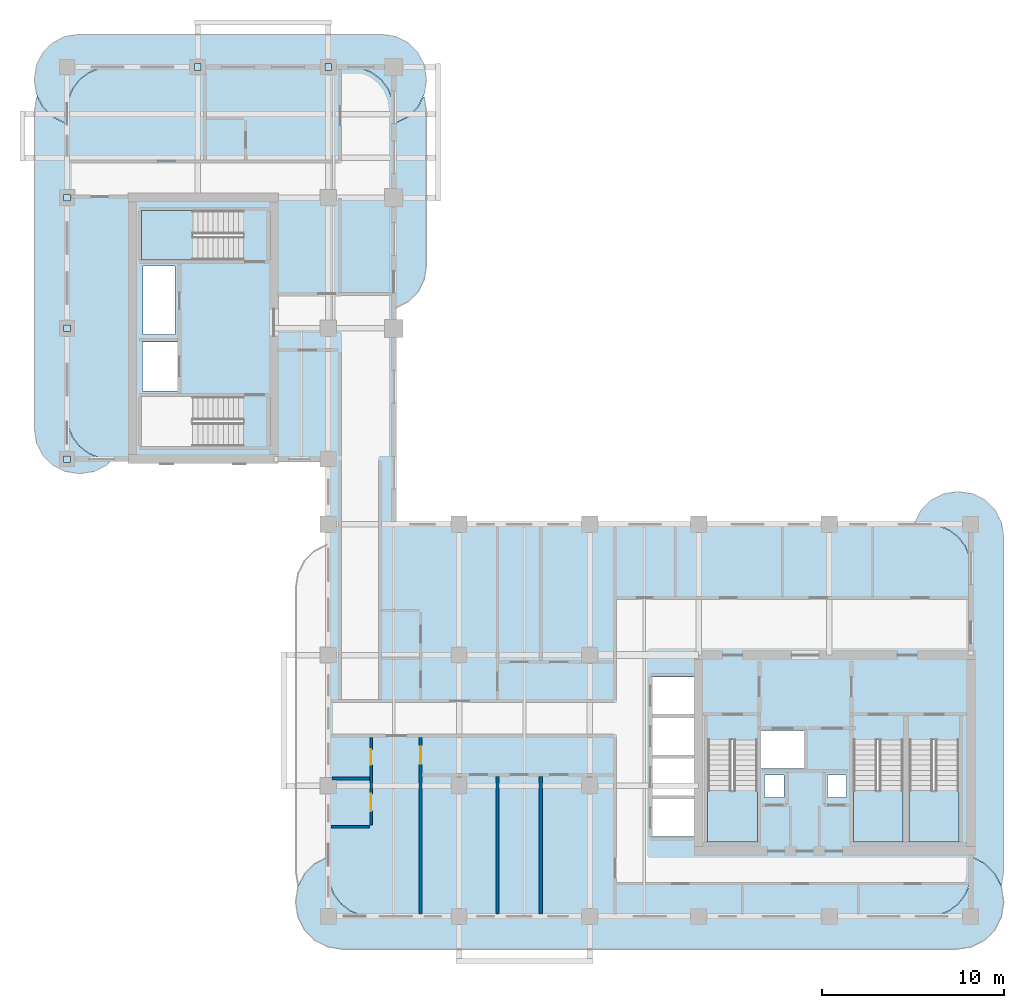
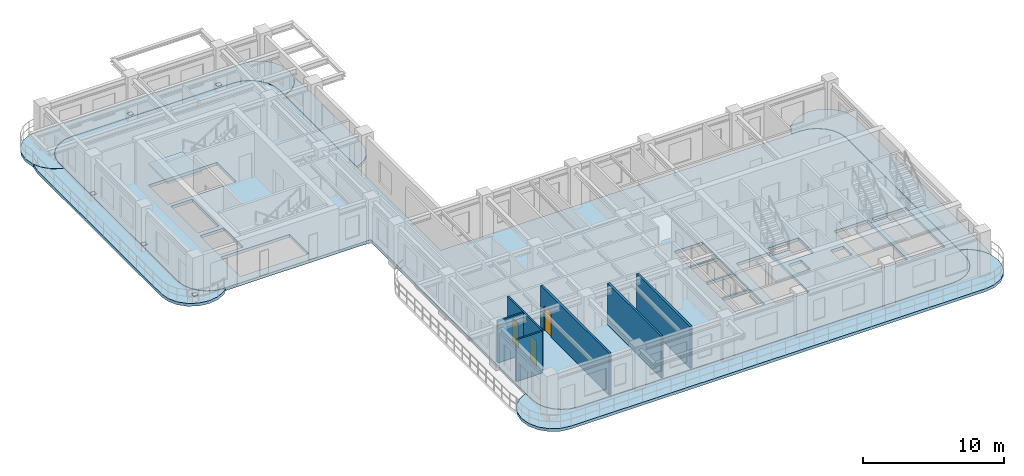
# One storey, part 3 of 14: 10 slabs, 6 walls, 5 plates, 3 doors, 3 openings, 4 elements without a shape of their own.
"""IFC4 building model written with IfcOpenShell, lengths in metres."""

from ifc_helpers import new_model, si_unit, derived_unit, direction, frame, frame_2d, origin, origin_2d, place, context, subcontext, project, spatial, polyline, rectangle, outline, extrude, source, transform, mapped, material, layer, layer_set, type_object, type_shapes, element, fill, aggregate, save


model = new_model("IFC4")

# Units and contexts
model_context = context("Model", 3, precision=1e-05, world=origin(), true_north=direction((0.0, 1.0)))
body_context = subcontext(model_context, "Body", "Model", "MODEL_VIEW")
ifc_project = project(units=[si_unit("LENGTHUNIT", "METRE"), si_unit("AREAUNIT", "SQUARE_METRE"), si_unit("VOLUMEUNIT", "CUBIC_METRE"), si_unit("PLANEANGLEUNIT", "RADIAN"), si_unit("MASSUNIT", "GRAM", prefix="KILO"), si_unit("THERMODYNAMICTEMPERATUREUNIT", "KELVIN"), si_unit("POWERUNIT", "WATT"), derived_unit("THERMALTRANSMITTANCEUNIT", [(si_unit("POWERUNIT", "WATT"), 1), (si_unit("AREAUNIT", "SQUARE_METRE"), -1), (si_unit("THERMODYNAMICTEMPERATUREUNIT", "KELVIN"), -1)])], contexts=[model_context])

# Site, building, storey
site_placement = place(None, origin())
site = spatial("IfcSite", under=ifc_project, at=site_placement, CompositionType="ELEMENT")
building_placement = place(site_placement, origin())
building = spatial("IfcBuilding", under=site, at=building_placement, Name="Zahravan Archway Hotel and Residences", CompositionType="ELEMENT")
storey_placement = place(building_placement, frame((0.0, 0.0, 205.75)))
storey = spatial("IfcBuildingStorey", under=building, at=storey_placement, Name="L51", CompositionType="ELEMENT", Elevation=205.75)

# Slabs
ifc_material_1 = material(Name="Concrete C45/55", Category="concrete")
ifc_layer_1 = layer(ifc_material_1, 0.25, Name="Concrete C45/55", Category="concrete")
ifc_layer_set_1 = layer_set([ifc_layer_1], Name="Concrete C45/55")
slab_type_1 = type_object("IfcSlabType", Name="SLB-BALC-250", PredefinedType="FLOOR", material=ifc_layer_set_1)
slab_1_placement = place(storey_placement, frame((0.0, 0.0, -0.25)))
element("IfcSlab", 1, at=slab_1_placement, inside=storey, type_object=slab_type_1, Name="L51 Wing A South Rounded Balcony Band", PredefinedType="FLOOR", context=body_context, shape_type="SweptSolid", body=[
    extrude(outline(polyline([(49.837890625, 3.275146484375), (50.548828125, 2.9130859375), (51.113037109375, 2.348876953125), (51.47509765625, 1.637939453125), (51.60009765625, 0.85009765625), (51.60009765625, 0.75), (51.47509765625, -0.0380859375), (51.113037109375, -0.748779296875), (50.548828125, -1.31298828125), (49.837890625, -1.67529296875), (49.050048828125, -1.800048828125), (15.14990234375, -1.800048828125), (14.362060546875, -1.67529296875), (13.651123046875, -1.31298828125), (13.0869140625, -0.748779296875), (12.724853515625, -0.0380859375), (12.60009765625, 0.75), (12.60009765625, 0.85009765625), (12.724853515625, 1.637939453125), (13.0869140625, 2.348876953125), (13.651123046875, 2.9130859375), (14.362060546875, 3.275146484375), (14.3798828125, 3.278076171875), (14.3798828125, 2.39990234375), (14.380126953125, 2.3974609375), (14.4619140625, 1.776123046875), (14.46240234375, 1.7744140625), (14.462646484375, 1.772705078125), (14.46337890625, 1.77099609375), (14.702880859375, 1.1923828125), (14.703857421875, 1.19091796875), (14.70458984375, 1.189208984375), (14.70556640625, 1.187744140625), (15.0869140625, 0.690673828125), (15.088134765625, 0.689453125), (15.08935546875, 0.688232421875), (15.0908203125, 0.68701171875), (15.587890625, 0.3056640625), (15.58935546875, 0.3046875), (15.5908203125, 0.3037109375), (15.59228515625, 0.302978515625), (16.171142578125, 0.063232421875), (16.1728515625, 0.062744140625), (16.174560546875, 0.062255859375), (16.17626953125, 0.06201171875), (16.79736328125, -0.019775390625), (16.800048828125, -0.02001953125), (47.39990234375, -0.02001953125), (47.402587890625, -0.019775390625), (48.023681640625, 0.06201171875), (48.025390625, 0.062255859375), (48.027099609375, 0.062744140625), (48.02880859375, 0.063232421875), (48.607666015625, 0.302978515625), (48.609130859375, 0.3037109375), (48.610595703125, 0.3046875), (48.6123046875, 0.3056640625), (49.109375, 0.68701171875), (49.110595703125, 0.688232421875), (49.11181640625, 0.689453125), (49.113037109375, 0.690673828125), (49.494384765625, 1.187744140625), (49.495361328125, 1.189208984375), (49.49609375, 1.19091796875), (49.4970703125, 1.1923828125), (49.73681640625, 1.77099609375), (49.7373046875, 1.772705078125), (49.73779296875, 1.7744140625), (49.738037109375, 1.776123046875), (49.81982421875, 2.3974609375), (49.820068359375, 2.39990234375), (49.820068359375, 3.278076171875), (49.837890625, 3.275146484375)])), origin(), (0.0, 0.0, 1.0), 0.25),
])
slab_2_placement = place(storey_placement, frame((0.0, 0.0, -0.25)))
element("IfcSlab", 2, at=slab_2_placement, inside=storey, type_object=slab_type_1, Name="L51 Wing A East Rounded Balcony Band", PredefinedType="FLOOR", context=body_context, shape_type="SweptSolid", body=[
    extrude(outline(polyline([(46.719970703125, 21.70703125), (47.06787109375, 22.39013671875), (47.60986328125, 22.93212890625), (48.29296875, 23.280029296875), (49.050048828125, 23.39990234375), (49.14990234375, 23.39990234375), (49.906982421875, 23.280029296875), (50.590087890625, 22.93212890625), (51.132080078125, 22.39013671875), (51.47998046875, 21.70703125), (51.60009765625, 20.949951171875), (51.60009765625, 2.449951171875), (51.47998046875, 1.69287109375), (51.474853515625, 1.6826171875), (51.130859375, 2.35791015625), (51.1298828125, 2.35986328125), (51.12841796875, 2.361572265625), (51.127197265625, 2.363037109375), (50.56298828125, 2.927001953125), (50.5615234375, 2.928466796875), (50.559814453125, 2.9296875), (50.55810546875, 2.930908203125), (49.84716796875, 3.29296875), (49.84521484375, 3.2939453125), (49.84326171875, 3.29443359375), (49.841064453125, 3.294921875), (49.822998046875, 3.2978515625), (49.8212890625, 3.298095703125), (49.820068359375, 3.298095703125), (49.820068359375, 19.199951171875), (49.81982421875, 19.20263671875), (49.738037109375, 19.82373046875), (49.73779296875, 19.825439453125), (49.7373046875, 19.8271484375), (49.73681640625, 19.828857421875), (49.4970703125, 20.40771484375), (49.49609375, 20.4091796875), (49.495361328125, 20.41064453125), (49.494384765625, 20.412109375), (49.113037109375, 20.9091796875), (49.11181640625, 20.91064453125), (49.110595703125, 20.911865234375), (49.109375, 20.9130859375), (48.6123046875, 21.29443359375), (48.610595703125, 21.29541015625), (48.609130859375, 21.296142578125), (48.607666015625, 21.297119140625), (48.02880859375, 21.53662109375), (48.027099609375, 21.537353515625), (48.025390625, 21.53759765625), (48.023681640625, 21.5380859375), (47.402587890625, 21.619873046875), (47.39990234375, 21.6201171875), (46.7060546875, 21.6201171875), (46.719970703125, 21.70703125)])), origin(), (0.0, 0.0, 1.0), 0.25),
])
slab_3_placement = place(storey_placement, frame((0.0, 0.0, -0.25)))
element("IfcSlab", 3, at=slab_3_placement, inside=storey, type_object=slab_type_1, Name="L51 Wing B North Rounded Balcony Band", PredefinedType="FLOOR", context=body_context, shape_type="SweptSolid", body=[
    extrude(outline(polyline([(-0.107177734375, 43.719970703125), (-0.7900390625, 44.06787109375), (-1.33203125, 44.60986328125), (-1.68017578125, 45.29296875), (-1.800048828125, 46.050048828125), (-1.800048828125, 46.14990234375), (-1.68017578125, 46.906982421875), (-1.33203125, 47.590087890625), (-0.7900390625, 48.132080078125), (-0.107177734375, 48.47998046875), (0.64990234375, 48.60009765625), (17.35009765625, 48.60009765625), (18.107177734375, 48.47998046875), (18.7900390625, 48.132080078125), (19.33203125, 47.590087890625), (19.68017578125, 46.906982421875), (19.800048828125, 46.14990234375), (19.800048828125, 46.050048828125), (19.68017578125, 45.29296875), (19.33203125, 44.60986328125), (18.7900390625, 44.06787109375), (18.107177734375, 43.719970703125), (18.02001953125, 43.7060546875), (18.02001953125, 44.39990234375), (18.019775390625, 44.402587890625), (17.93798828125, 45.023681640625), (17.937744140625, 45.025390625), (17.937255859375, 45.027099609375), (17.936767578125, 45.02880859375), (17.697021484375, 45.607666015625), (17.6962890625, 45.609130859375), (17.6953125, 45.610595703125), (17.6943359375, 45.6123046875), (17.31298828125, 46.109375), (17.311767578125, 46.110595703125), (17.310546875, 46.11181640625), (17.309326171875, 46.113037109375), (16.812255859375, 46.494384765625), (16.810791015625, 46.495361328125), (16.80908203125, 46.49609375), (16.8076171875, 46.4970703125), (16.22900390625, 46.73681640625), (16.227294921875, 46.7373046875), (16.2255859375, 46.73779296875), (16.223876953125, 46.738037109375), (15.6025390625, 46.81982421875), (15.60009765625, 46.820068359375), (2.39990234375, 46.820068359375), (2.3974609375, 46.81982421875), (1.776123046875, 46.738037109375), (1.7744140625, 46.73779296875), (1.772705078125, 46.7373046875), (1.77099609375, 46.73681640625), (1.1923828125, 46.4970703125), (1.19091796875, 46.49609375), (1.189208984375, 46.495361328125), (1.187744140625, 46.494384765625), (0.690673828125, 46.113037109375), (0.689453125, 46.11181640625), (0.688232421875, 46.110595703125), (0.68701171875, 46.109375), (0.3056640625, 45.6123046875), (0.3046875, 45.610595703125), (0.3037109375, 45.609130859375), (0.302978515625, 45.607666015625), (0.063232421875, 45.02880859375), (0.062744140625, 45.027099609375), (0.062255859375, 45.025390625), (0.06201171875, 45.023681640625), (-0.019775390625, 44.402587890625), (-0.02001953125, 44.39990234375), (-0.02001953125, 43.7060546875), (-0.107177734375, 43.719970703125)])), origin(), (0.0, 0.0, 1.0), 0.25),
])
slab_4_placement = place(storey_placement, frame((0.0, 0.0, -0.25)))
element("IfcSlab", 4, at=slab_4_placement, inside=storey, type_object=slab_type_1, Name="L51 Wing B West Rounded Balcony Band", PredefinedType="FLOOR", context=body_context, shape_type="SweptSolid", body=[
    extrude(outline(polyline([(2.190185546875, 24.867919921875), (1.507080078125, 24.52001953125), (0.75, 24.39990234375), (0.64990234375, 24.39990234375), (-0.107177734375, 24.52001953125), (-0.7900390625, 24.867919921875), (-1.33203125, 25.409912109375), (-1.68017578125, 26.093017578125), (-1.800048828125, 26.85009765625), (-1.800048828125, 44.35009765625), (-1.68017578125, 45.107177734375), (-1.64404296875, 45.177978515625), (-1.349853515625, 44.600830078125), (-1.348876953125, 44.59912109375), (-1.34765625, 44.597412109375), (-1.34619140625, 44.595703125), (-0.80419921875, 44.0537109375), (-0.802734375, 44.052490234375), (-0.801025390625, 44.051025390625), (-0.79931640625, 44.050048828125), (-0.1162109375, 43.7021484375), (-0.1142578125, 43.701171875), (-0.1123046875, 43.70068359375), (-0.110107421875, 43.7001953125), (-0.023193359375, 43.686279296875), (-0.021240234375, 43.68603515625), (-0.02001953125, 43.68603515625), (-0.02001953125, 27.60009765625), (-0.019775390625, 27.597412109375), (0.06201171875, 26.976318359375), (0.062255859375, 26.974609375), (0.062744140625, 26.972900390625), (0.063232421875, 26.97119140625), (0.302978515625, 26.392333984375), (0.3037109375, 26.390869140625), (0.3046875, 26.389404296875), (0.3056640625, 26.3876953125), (0.68701171875, 25.890625), (0.688232421875, 25.889404296875), (0.689453125, 25.88818359375), (0.690673828125, 25.886962890625), (1.187744140625, 25.505615234375), (1.189208984375, 25.504638671875), (1.19091796875, 25.50390625), (1.1923828125, 25.5029296875), (1.77099609375, 25.26318359375), (1.772705078125, 25.2626953125), (1.7744140625, 25.26220703125), (1.776123046875, 25.261962890625), (2.3974609375, 25.18017578125), (2.39990234375, 25.179931640625), (2.502197265625, 25.179931640625), (2.190185546875, 24.867919921875)])), origin(), (0.0, 0.0, 1.0), 0.25),
])
slab_5_placement = place(storey_placement, frame((0.0, 0.0, -0.25)))
element("IfcSlab", 5, at=slab_5_placement, inside=storey, type_object=slab_type_1, Name="L51 Wing B East Rounded Balcony Band", PredefinedType="FLOOR", context=body_context, shape_type="SweptSolid", body=[
    extrude(outline(polyline([(19.68017578125, 45.107177734375), (19.800048828125, 44.35009765625), (19.800048828125, 35.85009765625), (19.68017578125, 35.093017578125), (19.33203125, 34.409912109375), (18.7900390625, 33.867919921875), (18.107177734375, 33.52001953125), (18.02001953125, 33.506103515625), (18.02001953125, 43.68603515625), (18.021240234375, 43.68603515625), (18.023193359375, 43.686279296875), (18.110107421875, 43.7001953125), (18.1123046875, 43.70068359375), (18.1142578125, 43.701171875), (18.1162109375, 43.7021484375), (18.79931640625, 44.050048828125), (18.801025390625, 44.051025390625), (18.802734375, 44.052490234375), (18.80419921875, 44.0537109375), (19.34619140625, 44.595703125), (19.34765625, 44.597412109375), (19.348876953125, 44.59912109375), (19.349853515625, 44.600830078125), (19.64404296875, 45.177978515625), (19.68017578125, 45.107177734375)])), origin(), (0.0, 0.0, 1.0), 0.25),
])
ifc_layer_2 = layer(ifc_material_1, 0.25, Name="Concrete C45/55", Category="concrete")
ifc_layer_set_2 = layer_set([ifc_layer_2], Name="Concrete C45/55")
slab_type_2 = type_object("IfcSlabType", Name="SLB-FLR-250", PredefinedType="FLOOR", material=ifc_layer_set_2)
slab_6_placement = place(storey_placement, frame((0.0, 0.0, -0.25)))
element("IfcSlab", 6, at=slab_6_placement, inside=storey, type_object=slab_type_2, Name="L51 Floor Slab LB", PredefinedType="FLOOR", context=body_context, shape_type="SweptSolid", body=[
    extrude(outline(polyline([(18.0, 21.60009765625), (18.0, 27.60009765625), (18.0, 27.699951171875), (18.0, 44.39990234375), (17.918212890625, 45.021240234375), (17.678466796875, 45.60009765625), (17.297119140625, 46.09716796875), (16.800048828125, 46.478515625), (16.22119140625, 46.71826171875), (15.60009765625, 46.800048828125), (2.39990234375, 46.800048828125), (1.77880859375, 46.71826171875), (1.199951171875, 46.478515625), (0.702880859375, 46.09716796875), (0.321533203125, 45.60009765625), (0.081787109375, 45.021240234375), (0.0, 44.39990234375), (0.0, 27.60009765625), (0.081787109375, 26.978759765625), (0.321533203125, 26.39990234375), (0.702880859375, 25.90283203125), (1.199951171875, 25.521484375), (1.77880859375, 25.28173828125), (2.39990234375, 25.199951171875), (14.39990234375, 25.199951171875), (14.39990234375, 19.199951171875), (14.39990234375, 19.10009765625), (14.39990234375, 2.39990234375), (14.481689453125, 1.77880859375), (14.721435546875, 1.199951171875), (15.102783203125, 0.702880859375), (15.60009765625, 0.321533203125), (16.1787109375, 0.081787109375), (16.800048828125, 0.0), (47.39990234375, 0.0), (48.021240234375, 0.081787109375), (48.60009765625, 0.321533203125), (49.09716796875, 0.702880859375), (49.478515625, 1.199951171875), (49.71826171875, 1.77880859375), (49.800048828125, 2.39990234375), (49.800048828125, 19.199951171875), (49.71826171875, 19.8212890625), (49.478515625, 20.39990234375), (49.09716796875, 20.897216796875), (48.60009765625, 21.278564453125), (48.021240234375, 21.518310546875), (47.39990234375, 21.60009765625), (18.0, 21.60009765625)]), holes=[polyline([(35.300048828125, 9.72998046875), (35.300048828125, 4.10009765625), (38.0400390625, 4.10009765625), (38.0400390625, 9.72998046875), (35.300048828125, 9.72998046875)]), polyline([(43.320068359375, 9.72998046875), (43.320068359375, 4.10009765625), (46.06005859375, 4.10009765625), (46.06005859375, 9.72998046875), (43.320068359375, 9.72998046875)]), polyline([(46.39990234375, 9.72998046875), (46.39990234375, 4.10009765625), (49.139892578125, 4.10009765625), (49.139892578125, 9.72998046875), (46.39990234375, 9.72998046875)]), polyline([(9.72998046875, 28.639892578125), (4.10009765625, 28.639892578125), (4.10009765625, 25.89990234375), (9.72998046875, 25.89990234375), (9.72998046875, 28.639892578125)]), polyline([(9.72998046875, 38.89990234375), (4.10009765625, 38.89990234375), (4.10009765625, 36.159912109375), (9.72998046875, 36.159912109375), (9.72998046875, 38.89990234375)]), polyline([(38.179931640625, 8.14990234375), (40.699951171875, 8.14990234375), (40.699951171875, 10.25), (38.179931640625, 10.25), (38.179931640625, 8.14990234375)]), polyline([(4.14990234375, 28.949951171875), (6.10009765625, 28.949951171875), (6.10009765625, 31.64990234375), (4.14990234375, 31.64990234375), (4.14990234375, 28.949951171875)]), polyline([(32.25, 4.39990234375), (34.550048828125, 4.39990234375), (34.550048828125, 6.47998046875), (32.25, 6.47998046875), (32.25, 4.39990234375)]), polyline([(32.25, 6.639892578125), (34.550048828125, 6.639892578125), (34.550048828125, 8.719970703125), (32.25, 8.719970703125), (32.25, 6.639892578125)]), polyline([(32.25, 8.8798828125), (34.550048828125, 8.8798828125), (34.550048828125, 10.9599609375), (32.25, 10.9599609375), (32.25, 8.8798828125)]), polyline([(32.25, 11.1201171875), (34.550048828125, 11.1201171875), (34.550048828125, 13.199951171875), (32.25, 13.199951171875), (32.25, 11.1201171875)]), polyline([(38.419921875, 6.56005859375), (39.5, 6.56005859375), (39.5, 7.780029296875), (38.419921875, 7.780029296875), (38.419921875, 6.56005859375)]), polyline([(41.89990234375, 6.56005859375), (42.9599609375, 6.56005859375), (42.9599609375, 7.780029296875), (41.89990234375, 7.780029296875), (41.89990234375, 6.56005859375)]), polyline([(4.179931640625, 32.050048828125), (5.93994140625, 32.050048828125), (5.93994140625, 35.840087890625), (4.179931640625, 35.840087890625), (4.179931640625, 32.050048828125)])]), origin(), (0.0, 0.0, 1.0), 0.25),
])

# Stair, slab
ifc_material_2 = material(Name="Concrete C50/60", Category="concrete")
stair_type = type_object("IfcStairType", Name="STR-CORE-1300", PredefinedType="HALF_TURN_STAIR", material=ifc_material_2)
stair_1_placement = place(storey_placement, origin())
stair_1 = element("IfcStair", 7, at=stair_1_placement, inside=storey, type_object=stair_type, Name="L51 Core A Exit Stair 1", PredefinedType="HALF_TURN_STAIR")
ifc_layer_3 = layer(ifc_material_2, 0.199951171875, Name="Concrete C50/60", Category="concrete")
ifc_layer_set_3 = layer_set([ifc_layer_3], Name="Concrete C50/60")
slab_type_3 = type_object("IfcSlabType", Name="SLB-LND-200", PredefinedType="LANDING", material=ifc_layer_set_3)
slab_7_placement = place(storey_placement, frame((0.0, 0.0, 1.72509765625)))
slab_7 = element("IfcSlab", 8, at=slab_7_placement, type_object=slab_type_3, Name="ST-A1 landing 1", PredefinedType="LANDING", context=body_context, shape_type="SweptSolid", body=[
    extrude(outline(polyline([(35.300048828125, 6.929931640625), (35.300048828125, 4.10009765625), (38.0400390625, 4.10009765625), (38.0400390625, 6.929931640625), (35.300048828125, 6.929931640625)])), origin(), (0.0, 0.0, 1.0), 0.199951171875),
])
aggregate(stair_1, [slab_7])

stair_2_placement = place(storey_placement, origin())
stair_2 = element("IfcStair", 9, at=stair_2_placement, inside=storey, type_object=stair_type, Name="L51 Core A Exit Stair 2", PredefinedType="HALF_TURN_STAIR")
slab_8_placement = place(storey_placement, frame((0.0, 0.0, 1.72509765625)))
slab_8 = element("IfcSlab", 10, at=slab_8_placement, type_object=slab_type_3, Name="ST-A2 landing 1", PredefinedType="LANDING", context=body_context, shape_type="SweptSolid", body=[
    extrude(outline(polyline([(43.320068359375, 6.929931640625), (43.320068359375, 4.10009765625), (46.06005859375, 4.10009765625), (46.06005859375, 6.929931640625), (43.320068359375, 6.929931640625)])), origin(), (0.0, 0.0, 1.0), 0.199951171875),
])
aggregate(stair_2, [slab_8])

stair_3_placement = place(storey_placement, origin())
stair_3 = element("IfcStair", 11, at=stair_3_placement, inside=storey, type_object=stair_type, Name="L51 Core A Exit Stair 3", PredefinedType="HALF_TURN_STAIR")
slab_9_placement = place(storey_placement, frame((0.0, 0.0, 1.72509765625)))
slab_9 = element("IfcSlab", 12, at=slab_9_placement, type_object=slab_type_3, Name="ST-A3 landing 1", PredefinedType="LANDING", context=body_context, shape_type="SweptSolid", body=[
    extrude(outline(polyline([(46.39990234375, 6.929931640625), (46.39990234375, 4.10009765625), (49.139892578125, 4.10009765625), (49.139892578125, 6.929931640625), (46.39990234375, 6.929931640625)])), origin(), (0.0, 0.0, 1.0), 0.199951171875),
])
aggregate(stair_3, [slab_9])

stair_4_placement = place(storey_placement, origin())
stair_4 = element("IfcStair", 13, at=stair_4_placement, inside=storey, type_object=stair_type, Name="L51 Core B Exit Stair 2", PredefinedType="HALF_TURN_STAIR")
slab_10_placement = place(storey_placement, frame((0.0, 0.0, 1.72509765625)))
slab_10 = element("IfcSlab", 14, at=slab_10_placement, type_object=slab_type_3, Name="ST-B2 landing 1", PredefinedType="LANDING", context=body_context, shape_type="SweptSolid", body=[
    extrude(outline(polyline([(6.929931640625, 38.89990234375), (4.10009765625, 38.89990234375), (4.10009765625, 36.159912109375), (6.929931640625, 36.159912109375), (6.929931640625, 38.89990234375)])), origin(), (0.0, 0.0, 1.0), 0.199951171875),
])
aggregate(stair_4, [slab_10])

# Plates
ifc_material_3 = material(Name="Structural Steel S355J2", Category="steel")
ifc_layer_4 = layer(ifc_material_3, 0.02490234375, Name="Structural Steel S355J2", Category="steel")
ifc_layer_set_4 = layer_set([ifc_layer_4], Name="Structural Steel S355J2")
plate_type = type_object("IfcPlateType", Name="PLT-CAP-ECP1", PredefinedType="SHEET", material=ifc_layer_set_4)
shared_shape_1 = source(origin(), body_context, "Body", "SweptSolid", [
    extrude(rectangle(XDim=0.360107421875, YDim=0.360107421875, at=origin_2d()), origin(), (0.0, 0.0, 1.0), 0.02490234375),
])
type_shapes(plate_type, [shared_shape_1])
for number, where, z_axis, x_axis, name in (
    (15, (0.0, 25.199951171875, 0.28759765625), (0.0, 0.0, 1.0), (1.0, 0.0, 0.0), "Wing B Chhajja Strut Base Cleat W1"),
    (16, (0.0, 32.39990234375, 0.28759765625), (0.0, 0.0, 1.0), (1.0, 0.0, 0.0), "Wing B Chhajja Strut Base Cleat W2"),
    (17, (0.0, 39.60009765625, 0.28759765625), (0.0, 0.0, 1.0), (1.0, 0.0, 0.0), "Wing B Chhajja Strut Base Cleat W3"),
    (18, (7.199951171875, 46.800048828125, 0.28759765625), (0.0, 0.0, 1.0), (1.0, 0.0, 0.0), "Wing B Chhajja Strut Base Cleat N1"),
    (19, (14.39990234375, 46.800048828125, 0.28759765625), (0.0, 0.0, 1.0), (1.0, 0.0, 0.0), "Wing B Chhajja Strut Base Cleat N2"),
):
    element("IfcPlate", number, at=place(storey_placement, frame(where, z_axis=z_axis, x_axis=x_axis)), inside=storey, type_object=plate_type, Name=name, PredefinedType="SHEET", context=body_context, shape_type="MappedRepresentation", body=[
        mapped(shared_shape_1, transform((0.0, 0.0, 0.0), scale=1.0)),
    ])

# Wall, opening, door
ifc_material_4 = material(Name="Acoustic Stud Partition")
ifc_layer_5 = layer(ifc_material_4, 0.169921875, Name="Acoustic Stud Partition")
ifc_layer_set_5 = layer_set([ifc_layer_5], Name="Acoustic Stud Partition")
wall_type_1 = type_object("IfcWallType", Name="PW-UNIT-170", PredefinedType="PARTITIONING", material=ifc_layer_set_5)
wall_1_placement = place(storey_placement, frame((19.47998046875, 0.14794921875, 0.0), z_axis=(0.0, 0.0, 1.0), x_axis=(0.0, 1.0, 0.0)))
wall_1 = element("IfcWall", 20, at=wall_1_placement, inside=storey, type_object=wall_type_1, Name="L51 Partition FL-S1-SP", PredefinedType="PARTITIONING", context=body_context, shape_type="SweptSolid", body=[
    extrude(rectangle(XDim=9.712158203125, YDim=0.169921875, at=frame_2d((4.85595703125, 0.0))), origin(), (0.0, 0.0, 1.0), 3.60009765625),
])
opening_1_placement = place(wall_1_placement, frame((8.251953125, 0.0, 0.0)))
opening_1 = element("IfcOpeningElement", 21, at=opening_1_placement, cuts=wall_1, Name="Opening D-I1", PredefinedType="OPENING", context=body_context, shape_type="SweptSolid", body=[
    extrude(rectangle(XDim=0.949951171875, YDim=2.14990234375, at=frame_2d((0.47509765625, 1.074951171875))), frame((0.0, 0.094970703125, 0.0), z_axis=(0.0, -1.0, 0.0), x_axis=(1.0, 0.0, 0.0)), (0.0, 0.0, 1.0), 0.18994140625),
])
ifc_material_5 = material(Name="Hardwood Veneer Timber", Category="wood")
door_type_1 = type_object("IfcDoorType", Name="ID-INT-950", OperationType="NOTDEFINED", PredefinedType="DOOR", material=ifc_material_5)
shared_shape_2 = source(origin(), body_context, "Body", "SweptSolid", [
    extrude(rectangle(XDim=0.949951171875, YDim=2.14990234375, at=frame_2d((0.47509765625, 1.074951171875))), frame((0.0, 0.02490234375, 0.0), z_axis=(0.0, -1.0, 0.0), x_axis=(1.0, 0.0, 0.0)), (0.0, 0.0, 1.0), 0.050048828125),
])
type_shapes(door_type_1, [shared_shape_2])
door_1_placement = place(opening_1_placement, origin())
door_1 = element("IfcDoor", 22, at=door_1_placement, inside=storey, type_object=door_type_1, Name="L51 Flat S1 Bedroom Hall Door", OperationType="SINGLE_SWING_LEFT", OverallHeight=2.14990234375, OverallWidth=0.949951171875, PredefinedType="DOOR", context=body_context, shape_type="MappedRepresentation", body=[
    mapped(shared_shape_2, transform((0.0, 0.0, 0.0), scale=1.0)),
])
fill(opening_1, door_1)

# Walls
for number, where, z_axis, x_axis, name in (
    (23, (23.719970703125, 0.14794921875, 0.0), (0.0, 0.0, 1.0), (0.0, 1.0, 0.0), "L51 Partition FL-S1-BD1"),
    (24, (26.10009765625, 0.14794921875, 0.0), (0.0, 0.0, 1.0), (0.0, 1.0, 0.0), "L51 Partition FL-S1-BD2"),
):
    element("IfcWall", number, at=place(storey_placement, frame(where, z_axis=z_axis, x_axis=x_axis)), inside=storey, type_object=wall_type_1, Name=name, PredefinedType="PARTITIONING", context=body_context, shape_type="SweptSolid", body=[
        extrude(rectangle(XDim=7.56201171875, YDim=0.169921875, at=frame_2d((3.781005859375, 0.0))), origin(), (0.0, 0.0, 1.0), 3.60009765625),
    ])

# Wall, openings, doors
ifc_material_6 = material(Name="Moisture-Resistant Blockwork", Category="masonry")
ifc_layer_6 = layer(ifc_material_6, 0.139892578125, Name="Moisture-Resistant Blockwork", Category="masonry")
ifc_layer_set_6 = layer_set([ifc_layer_6], Name="Moisture-Resistant Blockwork")
wall_type_2 = type_object("IfcWallType", Name="PW-WET-140", PredefinedType="PARTITIONING", material=ifc_layer_set_6)
wall_2_placement = place(storey_placement, frame((16.75, 5.0400390625, 0.0), z_axis=(0.0, 0.0, 1.0), x_axis=(0.0, 1.0, 0.0)))
wall_2 = element("IfcWall", 25, at=wall_2_placement, inside=storey, type_object=wall_type_2, Name="L51 Partition FL-S1-BV", PredefinedType="PARTITIONING", context=body_context, shape_type="SweptSolid", body=[
    extrude(rectangle(XDim=4.820068359375, YDim=0.139892578125, at=frame_2d((2.41015625, 0.0))), origin(), (0.0, 0.0, 1.0), 3.60009765625),
])
opening_2_placement = place(wall_2_placement, frame((0.760009765625, 0.0, 0.0)))
opening_2 = element("IfcOpeningElement", 26, at=opening_2_placement, cuts=wall_2, Name="Opening D-I1", PredefinedType="OPENING", context=body_context, shape_type="SweptSolid", body=[
    extrude(rectangle(XDim=0.949951171875, YDim=2.14990234375, at=frame_2d((0.47509765625, 1.074951171875))), frame((0.0, 0.080078125, 0.0), z_axis=(0.0, -1.0, 0.0), x_axis=(1.0, 0.0, 0.0)), (0.0, 0.0, 1.0), 0.159912109375),
])
opening_3_placement = place(wall_2_placement, frame((3.31005859375, 0.0, 0.0)))
opening_3 = element("IfcOpeningElement", 27, at=opening_3_placement, cuts=wall_2, Name="Opening D-B1", PredefinedType="OPENING", context=body_context, shape_type="SweptSolid", body=[
    extrude(rectangle(XDim=0.85009765625, YDim=2.10009765625, at=frame_2d((0.425048828125, 1.050048828125))), frame((0.0, 0.080078125, 0.0), z_axis=(0.0, -1.0, 0.0), x_axis=(1.0, 0.0, 0.0)), (0.0, 0.0, 1.0), 0.159912109375),
])
door_type_2 = type_object("IfcDoorType", Name="ID-BATH-850", OperationType="NOTDEFINED", PredefinedType="DOOR", material=ifc_material_5)
shared_shape_3 = source(origin(), body_context, "Body", "SweptSolid", [
    extrude(rectangle(XDim=0.85009765625, YDim=2.10009765625, at=frame_2d((0.425048828125, 1.050048828125))), frame((0.0, 0.02490234375, 0.0), z_axis=(0.0, -1.0, 0.0), x_axis=(1.0, 0.0, 0.0)), (0.0, 0.0, 1.0), 0.050048828125),
])
type_shapes(door_type_2, [shared_shape_3])
door_2_placement = place(opening_3_placement, origin())
door_2 = element("IfcDoor", 28, at=door_2_placement, inside=storey, type_object=door_type_2, Name="L51 Flat S1 Bathroom Door", OperationType="SINGLE_SWING_LEFT", OverallHeight=2.10009765625, OverallWidth=0.85009765625, PredefinedType="DOOR", context=body_context, shape_type="MappedRepresentation", body=[
    mapped(shared_shape_3, transform((0.0, 0.0, 0.0), scale=1.0)),
])
fill(opening_3, door_2)
door_3_placement = place(opening_2_placement, origin())
door_3 = element("IfcDoor", 29, at=door_3_placement, inside=storey, type_object=door_type_1, Name="L51 Flat S1 Kitchen Door", OperationType="SINGLE_SWING_RIGHT", OverallHeight=2.14990234375, OverallWidth=0.949951171875, PredefinedType="DOOR", context=body_context, shape_type="MappedRepresentation", body=[
    mapped(shared_shape_2, transform((0.0, 0.0, 0.0), scale=1.0)),
])
fill(opening_2, door_3)

# Walls
wall_3_placement = place(storey_placement, frame((14.590087890625, 7.60009765625, 0.0), z_axis=(0.0, 0.0, 1.0), x_axis=(1.0, 0.0, 0.0)))
element("IfcWall", 30, at=wall_3_placement, inside=storey, type_object=wall_type_2, Name="L51 Partition FL-S1-BM", PredefinedType="PARTITIONING", context=body_context, shape_type="SweptSolid", body=[
    extrude(rectangle(XDim=2.06982421875, YDim=0.139892578125, at=frame_2d((1.034912109375, 0.0))), origin(), (0.0, 0.0, 1.0), 3.60009765625),
])
wall_4_placement = place(storey_placement, frame((14.548095703125, 4.949951171875, 0.0), z_axis=(0.0, 0.0, 1.0), x_axis=(1.0, 0.0, 0.0)))
element("IfcWall", 31, at=wall_4_placement, inside=storey, type_object=wall_type_2, Name="L51 Partition FL-S1-KH", PredefinedType="PARTITIONING", context=body_context, shape_type="SweptSolid", body=[
    extrude(rectangle(XDim=2.11181640625, YDim=0.139892578125, at=frame_2d((1.055908203125, 0.0))), origin(), (0.0, 0.0, 1.0), 3.60009765625),
])

save(model, "model.ifc")
